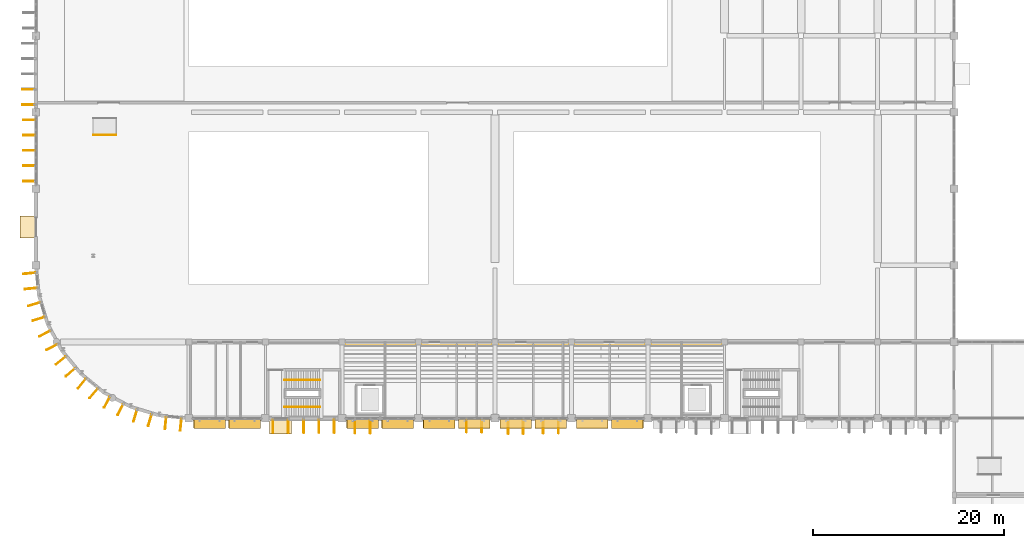
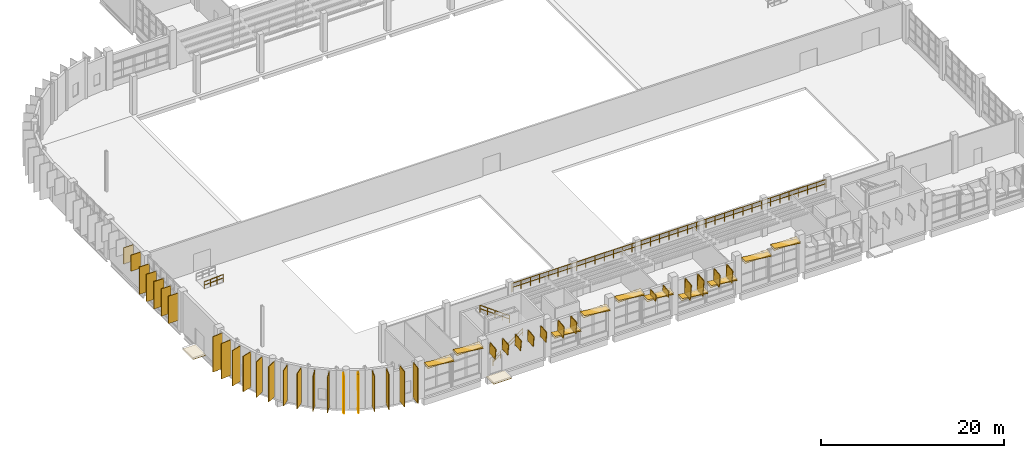
# One storey, part 94 of 103: 47 coverings, 46 shading devices, 4 railings.
"""IFC4 building model written with IfcOpenShell, lengths in metres."""

from ifc_helpers import new_model, si_unit, direction, frame, origin, origin_2d, place, context, subcontext, project, spatial, polyline, rectangle, circle, outline, extrude, material, layer, layer_set, type_object, element, save


model = new_model("IFC4")

# Units and contexts
model_context = context("Model", 3, precision=1e-05, world=origin(), true_north=direction((0.0, 1.0)))
body_context = subcontext(model_context, "Body", "Model", "MODEL_VIEW")
ifc_project = project(units=[si_unit("LENGTHUNIT", "METRE"), si_unit("AREAUNIT", "SQUARE_METRE"), si_unit("VOLUMEUNIT", "CUBIC_METRE"), si_unit("PLANEANGLEUNIT", "RADIAN"), si_unit("MASSUNIT", "GRAM", prefix="KILO")], contexts=[model_context])

# Site, building, storey
site_placement = place(None, origin())
site = spatial("IfcSite", under=ifc_project, at=site_placement, CompositionType="ELEMENT")
building_placement = place(site_placement, origin())
building = spatial("IfcBuilding", under=site, at=building_placement, Name="Drelvana Railside Aquatics Centre", CompositionType="ELEMENT")
storey_placement = place(building_placement, origin())
storey = spatial("IfcBuildingStorey", under=building, at=storey_placement, Name="L00", CompositionType="ELEMENT", Elevation=0.0)

# Coverings
ifc_material_1 = material(Name="Catalan trencadis polychrome ceramic mosaic cladding", Category="masonry")
ifc_layer_1 = layer(ifc_material_1, 0.044921875, Name="Catalan trencadis polychrome ceramic mosaic cladding")
ifc_layer_set_1 = layer_set([ifc_layer_1], Name="Catalan trencadis polychrome ceramic mosaic cladding")
covering_type_1 = type_object("IfcCoveringType", Name="COV-CLAD-TRENCADIS", PredefinedType="CLADDING", material=ifc_layer_set_1)
covering_1_placement = place(storey_placement, frame((0.0, 0.0, -0.2548828125)))
element("IfcCovering", 1, at=covering_1_placement, inside=storey, type_object=covering_type_1, Name="Threshold apron bedding trim 001", PredefinedType="CLADDING", context=body_context, shape_type="SweptSolid", body=[
    extrude(outline(polyline([(24.425048828125, 14.344970703125), (26.72509765625, 14.344970703125), (26.72509765625, 15.9951171875), (24.425048828125, 15.9951171875), (24.425048828125, 14.344970703125)])), origin(), (0.0, 0.0, 1.0), 0.044921875),
])
covering_2_placement = place(storey_placement, frame((0.0, 0.0, -0.2548828125)))
element("IfcCovering", 2, at=covering_2_placement, inside=storey, type_object=covering_type_1, Name="Threshold apron bedding trim 006", PredefinedType="CLADDING", context=body_context, shape_type="SweptSolid", body=[
    extrude(outline(polyline([(-1.655029296875, 34.85009765625), (-0.0048828125, 34.85009765625), (-0.0048828125, 37.14990234375), (-1.655029296875, 37.14990234375), (-1.655029296875, 34.85009765625)])), origin(), (0.0, 0.0, 1.0), 0.044921875),
])
ifc_material_2 = material(Name="Bronze-anodised extruded aluminium 6063-T6", Category="aluminium")
ifc_layer_2 = layer(ifc_material_2, 0.074951171875, Name="Bronze-anodised extruded aluminium 6063-T6")
ifc_layer_set_2 = layer_set([ifc_layer_2], Name="Bronze-anodised extruded aluminium 6063-T6")
covering_type_2 = type_object("IfcCoveringType", Name="COV-EYELID-ALU", PredefinedType="CLADDING", material=ifc_layer_set_2)
for number, where, z_axis, x_axis, name in (
    (3, (18.169921875, 15.46484375, 4.263916015625), (0.0, -0.13052619222, 0.991444861374), (-1.0, 0.0, 0.0), "Sine-wave eyelid brow hood V1S-1.1"),
    (4, (21.830078125, 15.46484375, 4.716796875), (0.0, -0.13052619222, 0.991444861374), (-1.0, 0.0, 0.0), "Sine-wave eyelid brow hood V1S-1.2"),
    (5, (34.169921875, 15.46484375, 2.678955078125), (0.0, -0.13052619222, 0.991444861374), (-1.0, 0.0, 0.0), "Sine-wave eyelid brow hood V1S-3.1"),
    (6, (37.830078125, 15.46484375, 4.14697265625), (0.0, -0.13052619222, 0.991444861374), (-1.0, 0.0, 0.0), "Sine-wave eyelid brow hood V1S-3.2"),
    (7, (42.169921875, 15.46484375, 4.6728515625), (0.0, -0.13052619222, 0.991444861374), (-1.0, 0.0, 0.0), "Sine-wave eyelid brow hood V1S-4.1"),
    (8, (45.830078125, 15.46484375, 3.48486328125), (0.0, -0.13052619222, 0.991444861374), (-1.0, 0.0, 0.0), "Sine-wave eyelid brow hood V1S-4.2"),
    (9, (50.169921875, 15.46484375, 2.10888671875), (0.0, -0.13052619222, 0.991444861374), (-1.0, 0.0, 0.0), "Sine-wave eyelid brow hood V1S-5.1"),
    (10, (53.830078125, 15.46484375, 2.56201171875), (0.0, -0.13052619222, 0.991444861374), (-1.0, 0.0, 0.0), "Sine-wave eyelid brow hood V1S-5.2"),
    (11, (58.169921875, 15.46484375, 4.263916015625), (0.0, -0.13052619222, 0.991444861374), (-1.0, 0.0, 0.0), "Sine-wave eyelid brow hood V1S-6.1"),
    (12, (61.830078125, 15.46484375, 4.716796875), (0.0, -0.13052619222, 0.991444861374), (-1.0, 0.0, 0.0), "Sine-wave eyelid brow hood V1S-6.2"),
):
    element("IfcCovering", number, at=place(storey_placement, frame(where, z_axis=z_axis, x_axis=x_axis)), inside=storey, type_object=covering_type_2, Name=name, PredefinedType="CLADDING", context=body_context, shape_type="SweptSolid", body=[
        extrude(rectangle(XDim=3.340087890625, YDim=0.949951171875, at=origin_2d()), origin(), (0.0, 0.0, 1.0), 0.074951171875),
    ])
covering_type_3 = type_object("IfcCoveringType", Name="COV-FIN-ALU", PredefinedType="CLADDING", material=ifc_material_2)
for number, where, z_axis, x_axis, name in (
    (13, (24.800048828125, 15.27001953125, 2.85595703125), (0.0, -0.13052619222, 0.991444861374), (-1.0, 0.0, 0.0), "Vertical aluminium fin cladding CF-0013"),
    (14, (26.39990234375, 15.27001953125, 2.85595703125), (0.0, -0.13052619222, 0.991444861374), (-1.0, 0.0, 0.0), "Vertical aluminium fin cladding CF-0014"),
    (15, (28.0, 15.27001953125, 2.85595703125), (0.0, -0.13052619222, 0.991444861374), (-1.0, 0.0, 0.0), "Vertical aluminium fin cladding CF-0015"),
    (16, (29.60009765625, 15.27001953125, 2.85595703125), (0.0, -0.13052619222, 0.991444861374), (-1.0, 0.0, 0.0), "Vertical aluminium fin cladding CF-0016"),
    (17, (31.199951171875, 15.27001953125, 2.85595703125), (0.0, -0.13052619222, 0.991444861374), (-1.0, 0.0, 0.0), "Vertical aluminium fin cladding CF-0017"),
):
    element("IfcCovering", number, at=place(storey_placement, frame(where, z_axis=z_axis, x_axis=x_axis)), inside=storey, type_object=covering_type_3, Name=name, PredefinedType="CLADDING", context=body_context, shape_type="SweptSolid", body=[
        extrude(rectangle(XDim=0.0849609375, YDim=1.25, at=origin_2d()), origin(), (0.0, 0.0, 1.0), 1.455078125),
    ])
for number, where, z_axis, x_axis, name in (
    (18, (33.3701171875, 15.2548828125, 2.673095703125), (0.0, -0.13052619222, 0.991444861374), (-1.0, 0.0, 0.0), "Vertical aluminium fin cladding CF-0028"),
    (19, (34.969970703125, 15.2548828125, 2.673095703125), (0.0, -0.13052619222, 0.991444861374), (-1.0, 0.0, 0.0), "Vertical aluminium fin cladding CF-0029"),
):
    element("IfcCovering", number, at=place(storey_placement, frame(where, z_axis=z_axis, x_axis=x_axis)), inside=storey, type_object=covering_type_3, Name=name, PredefinedType="CLADDING", context=body_context, shape_type="SweptSolid", body=[
        extrude(rectangle(XDim=0.0849609375, YDim=1.25, at=origin_2d()), origin(), (0.0, 0.0, 1.0), 1.638916015625),
    ])
for number, where, z_axis, x_axis, name in (
    (20, (45.030029296875, 15.255126953125, 3.4755859375), (0.0, -0.13052619222, 0.991444861374), (-1.0, 0.0, 0.0), "Vertical aluminium fin cladding CF-0043"),
    (21, (46.6298828125, 15.255126953125, 3.4755859375), (0.0, -0.13052619222, 0.991444861374), (-1.0, 0.0, 0.0), "Vertical aluminium fin cladding CF-0044"),
):
    element("IfcCovering", number, at=place(storey_placement, frame(where, z_axis=z_axis, x_axis=x_axis)), inside=storey, type_object=covering_type_3, Name=name, PredefinedType="CLADDING", context=body_context, shape_type="SweptSolid", body=[
        extrude(rectangle(XDim=0.0849609375, YDim=1.25, at=origin_2d()), origin(), (0.0, 0.0, 1.0), 0.8330078125),
    ])
for number, where, z_axis, x_axis, name in (
    (22, (49.3701171875, 15.255126953125, 2.10546875), (0.0, -0.13052619222, 0.991444861374), (-1.0, 0.0, 0.0), "Vertical aluminium fin cladding CF-0056"),
    (23, (50.969970703125, 15.255126953125, 2.10546875), (0.0, -0.13052619222, 0.991444861374), (-1.0, 0.0, 0.0), "Vertical aluminium fin cladding CF-0057"),
):
    element("IfcCovering", number, at=place(storey_placement, frame(where, z_axis=z_axis, x_axis=x_axis)), inside=storey, type_object=covering_type_3, Name=name, PredefinedType="CLADDING", context=body_context, shape_type="SweptSolid", body=[
        extrude(rectangle(XDim=0.0849609375, YDim=1.25, at=origin_2d()), origin(), (0.0, 0.0, 1.0), 2.208984375),
    ])
for number, where, z_axis, x_axis, name in (
    (24, (53.030029296875, 15.2548828125, 2.556396484375), (0.0, -0.13052619222, 0.991444861374), (-1.0, 0.0, 0.0), "Vertical aluminium fin cladding CF-0059"),
    (25, (54.6298828125, 15.2548828125, 2.556396484375), (0.0, -0.13052619222, 0.991444861374), (-1.0, 0.0, 0.0), "Vertical aluminium fin cladding CF-0060"),
):
    element("IfcCovering", number, at=place(storey_placement, frame(where, z_axis=z_axis, x_axis=x_axis)), inside=storey, type_object=covering_type_3, Name=name, PredefinedType="CLADDING", context=body_context, shape_type="SweptSolid", body=[
        extrude(rectangle(XDim=0.0849609375, YDim=1.25, at=origin_2d()), origin(), (0.0, 0.0, 1.0), 1.756103515625),
    ])
for number, where, z_axis, x_axis, name in (
    (26, (-0.669921875, 40.800048828125, 0.85009765625), (0.0, 0.0, 1.0), (0.0, 1.0, 0.0), "Vertical aluminium fin cladding CF-0205"),
    (27, (-0.669921875, 42.39990234375, 0.85009765625), (0.0, 0.0, 1.0), (0.0, 1.0, 0.0), "Vertical aluminium fin cladding CF-0206"),
    (28, (-0.669921875, 44.0, 0.85009765625), (0.0, 0.0, 1.0), (0.0, 1.0, 0.0), "Vertical aluminium fin cladding CF-0207"),
    (29, (-0.669921875, 45.60009765625, 0.85009765625), (0.0, 0.0, 1.0), (0.0, 1.0, 0.0), "Vertical aluminium fin cladding CF-0208"),
    (30, (-0.669921875, 47.199951171875, 0.85009765625), (0.0, 0.0, 1.0), (0.0, 1.0, 0.0), "Vertical aluminium fin cladding CF-0209"),
):
    element("IfcCovering", number, at=place(storey_placement, frame(where, z_axis=z_axis, x_axis=x_axis)), inside=storey, type_object=covering_type_3, Name=name, PredefinedType="CLADDING", context=body_context, shape_type="SweptSolid", body=[
        extrude(rectangle(XDim=0.0849609375, YDim=1.25, at=origin_2d()), origin(), (0.0, 0.0, 1.0), 3.64990234375),
    ])
covering_3_placement = place(storey_placement, frame((-0.77490234375, 48.800048828125, 3.0), z_axis=(0.0, 0.0, 1.0), x_axis=(0.0, 1.0, 0.0)))
element("IfcCovering", 31, at=covering_3_placement, inside=storey, type_object=covering_type_3, Name="Vertical aluminium fin cladding CF-0225", PredefinedType="CLADDING", context=body_context, shape_type="SweptSolid", body=[
    extrude(rectangle(XDim=0.0849609375, YDim=1.25, at=origin_2d()), origin(), (0.0, 0.0, 1.0), 2.14990234375),
])
for number, where, z_axis, x_axis, name in (
    (32, (-0.666015625, 31.162353515625, 0.25), (0.0, 0.0, 1.0), (-0.09801714033, 0.995184726672, 0.0), "Vertical aluminium fin cladding CF-0273"),
    (33, (-0.50927734375, 29.570068359375, 0.25), (0.0, 0.0, 1.0), (-0.09801714033, 0.995184726672, 0.0), "Vertical aluminium fin cladding CF-0274"),
    (34, (-0.1826171875, 27.927001953125, 0.25), (0.0, 0.0, 1.0), (-0.290284677254, 0.956940335732, 0.0), "Vertical aluminium fin cladding CF-0281"),
    (35, (0.281982421875, 26.39599609375, 0.25), (0.0, 0.0, 1.0), (-0.290284677254, 0.956940335732, 0.0), "Vertical aluminium fin cladding CF-0282"),
    (36, (0.923095703125, 24.848388671875, 0.25), (0.0, 0.0, 1.0), (-0.471396736826, 0.881921264348, 0.0), "Vertical aluminium fin cladding CF-0289"),
    (37, (1.67724609375, 23.437255859375, 0.25), (0.0, 0.0, 1.0), (-0.471396736826, 0.881921264348, 0.0), "Vertical aluminium fin cladding CF-0290"),
    (38, (2.60791015625, 22.04443359375, 0.25), (0.0, 0.0, 1.0), (-0.634393284164, 0.773010453363, 0.0), "Vertical aluminium fin cladding CF-0297"),
    (39, (3.623046875, 20.8076171875, 0.25), (0.0, 0.0, 1.0), (-0.634393284164, 0.773010453363, 0.0), "Vertical aluminium fin cladding CF-0298"),
    (40, (4.8076171875, 19.623046875, 0.25), (0.0, 0.0, 1.0), (-0.773010453363, 0.634393284164, 0.0), "Vertical aluminium fin cladding CF-0305"),
    (41, (6.04443359375, 18.60791015625, 0.25), (0.0, 0.0, 1.0), (-0.773010453363, 0.634393284164, 0.0), "Vertical aluminium fin cladding CF-0306"),
    (42, (7.437255859375, 17.67724609375, 0.25), (0.0, 0.0, 1.0), (-0.881921264348, 0.471396736826, 0.0), "Vertical aluminium fin cladding CF-0313"),
    (43, (8.848388671875, 16.923095703125, 0.25), (0.0, 0.0, 1.0), (-0.881921264348, 0.471396736826, 0.0), "Vertical aluminium fin cladding CF-0314"),
    (44, (10.39599609375, 16.281982421875, 0.25), (0.0, 0.0, 1.0), (-0.956940335732, 0.290284677254, 0.0), "Vertical aluminium fin cladding CF-0321"),
    (45, (11.927001953125, 15.8173828125, 0.25), (0.0, 0.0, 1.0), (-0.956940335732, 0.290284677254, 0.0), "Vertical aluminium fin cladding CF-0322"),
    (46, (13.570068359375, 15.49072265625, 0.25), (0.0, 0.0, 1.0), (-0.995184726672, 0.09801714033, 0.0), "Vertical aluminium fin cladding CF-0329"),
    (47, (15.162353515625, 15.333984375, 0.25), (0.0, 0.0, 1.0), (-0.995184726672, 0.09801714033, 0.0), "Vertical aluminium fin cladding CF-0330"),
):
    element("IfcCovering", number, at=place(storey_placement, frame(where, z_axis=z_axis, x_axis=x_axis)), inside=storey, type_object=covering_type_3, Name=name, PredefinedType="CLADDING", context=body_context, shape_type="SweptSolid", body=[
        extrude(rectangle(XDim=0.0849609375, YDim=1.25, at=origin_2d()), origin(), (0.0, 0.0, 1.0), 4.72998046875),
    ])

# Railings
ifc_material_3 = material(Name="Laminated glass and bronze-stainless gallery balustrade", Category="glass")
railing_type_1 = type_object("IfcRailingType", Name="RAL-GALLERY-1150", PredefinedType="BALUSTRADE", material=ifc_material_3)
railing_1_placement = place(storey_placement, frame((32.199951171875, 23.85009765625, 3.60009765625)))
element("IfcRailing", 48, at=railing_1_placement, inside=storey, type_object=railing_type_1, Name="Gallery balustrade 3 (L00)", PredefinedType="BALUSTRADE", context=body_context, shape_type="SweptSolid", body=[
    extrude(circle(Radius=0.02392578125, at=origin_2d()), frame((0.0, 0.0, 1.1259765625), z_axis=(1.0, 0.0, 0.0), x_axis=(0.0, 1.0, 0.0)), (0.0, 0.0, 1.0), 39.60009765625),
    extrude(circle(Radius=0.02392578125, at=origin_2d()), frame((0.0, 0.0, 0.574951171875), z_axis=(1.0, 0.0, 0.0), x_axis=(0.0, 1.0, 0.0)), (0.0, 0.0, 1.0), 39.60009765625),
    extrude(circle(Radius=0.02099609375, at=origin_2d()), origin(), (0.0, 0.0, 1.0), 1.101806640625),
    extrude(circle(Radius=0.02099609375, at=origin_2d()), frame((1.164794921875, 0.0, 0.0)), (0.0, 0.0, 1.0), 1.101806640625),
    extrude(circle(Radius=0.02099609375, at=origin_2d()), frame((2.329345703125, 0.0, 0.0)), (0.0, 0.0, 1.0), 1.101806640625),
    extrude(circle(Radius=0.02099609375, at=origin_2d()), frame((3.494140625, 0.0, 0.0)), (0.0, 0.0, 1.0), 1.101806640625),
    extrude(circle(Radius=0.02099609375, at=origin_2d()), frame((4.658935546875, 0.0, 0.0)), (0.0, 0.0, 1.0), 1.101806640625),
    extrude(circle(Radius=0.02099609375, at=origin_2d()), frame((5.823486328125, 0.0, 0.0)), (0.0, 0.0, 1.0), 1.101806640625),
    extrude(circle(Radius=0.02099609375, at=origin_2d()), frame((6.98828125, 0.0, 0.0)), (0.0, 0.0, 1.0), 1.101806640625),
    extrude(circle(Radius=0.02099609375, at=origin_2d()), frame((8.153076171875, 0.0, 0.0)), (0.0, 0.0, 1.0), 1.101806640625),
    extrude(circle(Radius=0.02099609375, at=origin_2d()), frame((9.317626953125, 0.0, 0.0)), (0.0, 0.0, 1.0), 1.101806640625),
    extrude(circle(Radius=0.02099609375, at=origin_2d()), frame((10.482421875, 0.0, 0.0)), (0.0, 0.0, 1.0), 1.101806640625),
    extrude(circle(Radius=0.02099609375, at=origin_2d()), frame((11.64697265625, 0.0, 0.0)), (0.0, 0.0, 1.0), 1.101806640625),
    extrude(circle(Radius=0.02099609375, at=origin_2d()), frame((12.811767578125, 0.0, 0.0)), (0.0, 0.0, 1.0), 1.101806640625),
    extrude(circle(Radius=0.02099609375, at=origin_2d()), frame((13.9765625, 0.0, 0.0)), (0.0, 0.0, 1.0), 1.101806640625),
    extrude(circle(Radius=0.02099609375, at=origin_2d()), frame((15.14111328125, 0.0, 0.0)), (0.0, 0.0, 1.0), 1.101806640625),
    extrude(circle(Radius=0.02099609375, at=origin_2d()), frame((16.305908203125, 0.0, 0.0)), (0.0, 0.0, 1.0), 1.101806640625),
    extrude(circle(Radius=0.02099609375, at=origin_2d()), frame((17.470703125, 0.0, 0.0)), (0.0, 0.0, 1.0), 1.101806640625),
    extrude(circle(Radius=0.02099609375, at=origin_2d()), frame((18.63525390625, 0.0, 0.0)), (0.0, 0.0, 1.0), 1.101806640625),
    extrude(circle(Radius=0.02099609375, at=origin_2d()), frame((19.800048828125, 0.0, 0.0)), (0.0, 0.0, 1.0), 1.101806640625),
    extrude(circle(Radius=0.02099609375, at=origin_2d()), frame((20.96484375, 0.0, 0.0)), (0.0, 0.0, 1.0), 1.101806640625),
    extrude(circle(Radius=0.02099609375, at=origin_2d()), frame((22.12939453125, 0.0, 0.0)), (0.0, 0.0, 1.0), 1.101806640625),
    extrude(circle(Radius=0.02099609375, at=origin_2d()), frame((23.294189453125, 0.0, 0.0)), (0.0, 0.0, 1.0), 1.101806640625),
    extrude(circle(Radius=0.02099609375, at=origin_2d()), frame((24.458984375, 0.0, 0.0)), (0.0, 0.0, 1.0), 1.101806640625),
    extrude(circle(Radius=0.02099609375, at=origin_2d()), frame((25.62353515625, 0.0, 0.0)), (0.0, 0.0, 1.0), 1.101806640625),
    extrude(circle(Radius=0.02099609375, at=origin_2d()), frame((26.788330078125, 0.0, 0.0)), (0.0, 0.0, 1.0), 1.101806640625),
    extrude(circle(Radius=0.02099609375, at=origin_2d()), frame((27.953125, 0.0, 0.0)), (0.0, 0.0, 1.0), 1.101806640625),
    extrude(circle(Radius=0.02099609375, at=origin_2d()), frame((29.11767578125, 0.0, 0.0)), (0.0, 0.0, 1.0), 1.101806640625),
    extrude(circle(Radius=0.02099609375, at=origin_2d()), frame((30.282470703125, 0.0, 0.0)), (0.0, 0.0, 1.0), 1.101806640625),
    extrude(circle(Radius=0.02099609375, at=origin_2d()), frame((31.447021484375, 0.0, 0.0)), (0.0, 0.0, 1.0), 1.101806640625),
    extrude(circle(Radius=0.02099609375, at=origin_2d()), frame((32.61181640625, 0.0, 0.0)), (0.0, 0.0, 1.0), 1.101806640625),
    extrude(circle(Radius=0.02099609375, at=origin_2d()), frame((33.776611328125, 0.0, 0.0)), (0.0, 0.0, 1.0), 1.101806640625),
    extrude(circle(Radius=0.02099609375, at=origin_2d()), frame((34.941162109375, 0.0, 0.0)), (0.0, 0.0, 1.0), 1.101806640625),
    extrude(circle(Radius=0.02099609375, at=origin_2d()), frame((36.10595703125, 0.0, 0.0)), (0.0, 0.0, 1.0), 1.101806640625),
    extrude(circle(Radius=0.02099609375, at=origin_2d()), frame((37.270751953125, 0.0, 0.0)), (0.0, 0.0, 1.0), 1.101806640625),
    extrude(circle(Radius=0.02099609375, at=origin_2d()), frame((38.435302734375, 0.0, 0.0)), (0.0, 0.0, 1.0), 1.101806640625),
    extrude(circle(Radius=0.02099609375, at=origin_2d()), frame((39.60009765625, 0.0, 0.0)), (0.0, 0.0, 1.0), 1.101806640625),
])
ifc_material_4 = material(Name="Brushed stainless steel stair pitch handrail", Category="steel")
railing_type_2 = type_object("IfcRailingType", Name="RAL-HANDRAIL-950", PredefinedType="HANDRAIL", material=ifc_material_4)
railing_2_placement = place(storey_placement, frame((25.969970703125, 17.175048828125, 0.0)))
element("IfcRailing", 49, at=railing_2_placement, inside=storey, type_object=railing_type_2, Name="Stair ST-01 flight 1 handrail (L00)", PredefinedType="HANDRAIL", context=body_context, shape_type="SweptSolid", body=[
    extrude(circle(Radius=0.02392578125, at=origin_2d()), frame((0.0, 0.0, 0.92578125), z_axis=(0.811539352079, 0.0, 0.584297766578), x_axis=(0.0, 1.0, 0.0)), (0.0, 0.0, 1.0), 4.620849609375),
    extrude(circle(Radius=0.02392578125, at=origin_2d()), frame((0.0, 0.0, 0.47509765625), z_axis=(0.811539352079, 0.0, 0.584297766578), x_axis=(0.0, 1.0, 0.0)), (0.0, 0.0, 1.0), 4.620849609375),
    extrude(circle(Radius=0.02099609375, at=origin_2d()), origin(), (0.0, 0.0, 1.0), 0.90185546875),
    extrude(circle(Radius=0.02099609375, at=origin_2d()), frame((0.9375, 0.0, 0.675048828125)), (0.0, 0.0, 1.0), 0.90185546875),
    extrude(circle(Radius=0.02099609375, at=origin_2d()), frame((1.875, 0.0, 1.35009765625)), (0.0, 0.0, 1.0), 0.90185546875),
    extrude(circle(Radius=0.02099609375, at=origin_2d()), frame((2.8125, 0.0, 2.02490234375)), (0.0, 0.0, 1.0), 0.90185546875),
    extrude(circle(Radius=0.02099609375, at=origin_2d()), frame((3.75, 0.0, 2.699951171875)), (0.0, 0.0, 1.0), 0.90185546875),
])
railing_3_placement = place(storey_placement, frame((29.719970703125, 20.02490234375, 2.699951171875)))
element("IfcRailing", 50, at=railing_3_placement, inside=storey, type_object=railing_type_2, Name="Stair ST-01 flight 2 handrail (L00)", PredefinedType="HANDRAIL", context=body_context, shape_type="SweptSolid", body=[
    extrude(circle(Radius=0.02392578125, at=origin_2d()), frame((0.0, 0.0, 0.92578125), z_axis=(-0.811539352079, 0.0, 0.584297766578), x_axis=(0.0, -1.0, 0.0)), (0.0, 0.0, 1.0), 4.620849609375),
    extrude(circle(Radius=0.02392578125, at=origin_2d()), frame((0.0, 0.0, 0.47509765625), z_axis=(-0.811539352079, 0.0, 0.584297766578), x_axis=(0.0, -1.0, 0.0)), (0.0, 0.0, 1.0), 4.620849609375),
    extrude(circle(Radius=0.02099609375, at=origin_2d()), origin(), (0.0, 0.0, 1.0), 0.90185546875),
    extrude(circle(Radius=0.02099609375, at=origin_2d()), frame((-0.9375, 0.0, 0.675048828125)), (0.0, 0.0, 1.0), 0.90185546875),
    extrude(circle(Radius=0.02099609375, at=origin_2d()), frame((-1.875, 0.0, 1.35009765625)), (0.0, 0.0, 1.0), 0.90185546875),
    extrude(circle(Radius=0.02099609375, at=origin_2d()), frame((-2.8125, 0.0, 2.02490234375)), (0.0, 0.0, 1.0), 0.90185546875),
    extrude(circle(Radius=0.02099609375, at=origin_2d()), frame((-3.75, 0.0, 2.699951171875)), (0.0, 0.0, 1.0), 0.90185546875),
])
railing_4_placement = place(storey_placement, frame((6.0, 45.6201171875, 0.0)))
element("IfcRailing", 51, at=railing_4_placement, inside=storey, type_object=railing_type_2, Name="Accessible ramp handrail RMP-WC-POOL-W", PredefinedType="HANDRAIL", context=body_context, shape_type="SweptSolid", body=[
    extrude(circle(Radius=0.02392578125, at=origin_2d()), frame((0.0, 0.0, 0.92578125), z_axis=(0.998749803871, 0.0, 0.049988291303), x_axis=(0.0, 1.0, 0.0)), (0.0, 0.0, 1.0), 2.40283203125),
    extrude(circle(Radius=0.02392578125, at=origin_2d()), frame((0.0, 0.0, 0.47509765625), z_axis=(0.998749803871, 0.0, 0.049988291303), x_axis=(0.0, 1.0, 0.0)), (0.0, 0.0, 1.0), 2.40283203125),
    extrude(circle(Radius=0.02099609375, at=origin_2d()), origin(), (0.0, 0.0, 1.0), 0.90185546875),
    extrude(circle(Radius=0.02099609375, at=origin_2d()), frame((0.800048828125, 0.0, 0.0400390625)), (0.0, 0.0, 1.0), 0.90185546875),
    extrude(circle(Radius=0.02099609375, at=origin_2d()), frame((1.599853515625, 0.0, 0.080078125)), (0.0, 0.0, 1.0), 0.90185546875),
    extrude(circle(Radius=0.02099609375, at=origin_2d()), frame((2.39990234375, 0.0, 0.1201171875)), (0.0, 0.0, 1.0), 0.90185546875),
])

# Shading devices
ifc_layer_3 = layer(ifc_material_2, 0.06494140625, Name="Bronze-anodised extruded aluminium 6063-T6")
ifc_layer_set_3 = layer_set([ifc_layer_3], Name="Bronze-anodised extruded aluminium 6063-T6")
shading_device_type_1 = type_object("IfcShadingDeviceType", Name="SHD-EYELID-950", PredefinedType="JALOUSIE", material=ifc_layer_set_3)
for number, where, z_axis, x_axis, name in (
    (52, (18.165771484375, 15.4150390625, 4.268798828125), (0.13052619222, 0.0, 0.991444861374), (0.0, -1.0, 0.0), "Sine-wave tilted eyelid louvre V1S-1.1"),
    (53, (21.825927734375, 15.4150390625, 4.7216796875), (0.13052619222, 0.0, 0.991444861374), (0.0, -1.0, 0.0), "Sine-wave tilted eyelid louvre V1S-1.2"),
    (54, (34.165771484375, 15.4150390625, 2.683837890625), (0.13052619222, 0.0, 0.991444861374), (0.0, -1.0, 0.0), "Sine-wave tilted eyelid louvre V1S-3.1"),
    (55, (37.825927734375, 15.4150390625, 4.15185546875), (0.13052619222, 0.0, 0.991444861374), (0.0, -1.0, 0.0), "Sine-wave tilted eyelid louvre V1S-3.2"),
    (56, (42.165771484375, 15.4150390625, 4.677734375), (0.13052619222, 0.0, 0.991444861374), (0.0, -1.0, 0.0), "Sine-wave tilted eyelid louvre V1S-4.1"),
    (57, (45.825927734375, 15.4150390625, 3.48974609375), (0.13052619222, 0.0, 0.991444861374), (0.0, -1.0, 0.0), "Sine-wave tilted eyelid louvre V1S-4.2"),
    (58, (50.165771484375, 15.4150390625, 2.11376953125), (0.13052619222, 0.0, 0.991444861374), (0.0, -1.0, 0.0), "Sine-wave tilted eyelid louvre V1S-5.1"),
    (59, (53.825927734375, 15.4150390625, 2.56689453125), (0.13052619222, 0.0, 0.991444861374), (0.0, -1.0, 0.0), "Sine-wave tilted eyelid louvre V1S-5.2"),
    (60, (58.165771484375, 15.4150390625, 4.268798828125), (0.13052619222, 0.0, 0.991444861374), (0.0, -1.0, 0.0), "Sine-wave tilted eyelid louvre V1S-6.1"),
    (61, (61.825927734375, 15.4150390625, 4.7216796875), (0.13052619222, 0.0, 0.991444861374), (0.0, -1.0, 0.0), "Sine-wave tilted eyelid louvre V1S-6.2"),
):
    element("IfcShadingDevice", number, at=place(storey_placement, frame(where, z_axis=z_axis, x_axis=x_axis)), inside=storey, type_object=shading_device_type_1, Name=name, PredefinedType="JALOUSIE", context=body_context, shape_type="SweptSolid", body=[
        extrude(rectangle(XDim=0.949951171875, YDim=3.300048828125, at=origin_2d()), origin(), (0.0, 0.0, 1.0), 0.06494140625),
    ])
shading_device_type_2 = type_object("IfcShadingDeviceType", Name="SHD-FIN-1250", PredefinedType="USERDEFINED", material=ifc_material_2)
for number, where, z_axis, x_axis, name in (
    (62, (24.800048828125, 15.25, 2.849853515625), (0.0, 0.0, 1.0), (0.0, -1.0, 0.0), "Vertical bronze shading fin FN-0013"),
    (63, (26.39990234375, 15.25, 2.849853515625), (0.0, 0.0, 1.0), (0.0, -1.0, 0.0), "Vertical bronze shading fin FN-0014"),
    (64, (28.0, 15.25, 2.849853515625), (0.0, 0.0, 1.0), (0.0, -1.0, 0.0), "Vertical bronze shading fin FN-0015"),
    (65, (29.60009765625, 15.25, 2.849853515625), (0.0, 0.0, 1.0), (0.0, -1.0, 0.0), "Vertical bronze shading fin FN-0016"),
    (66, (31.199951171875, 15.25, 2.849853515625), (0.0, 0.0, 1.0), (0.0, -1.0, 0.0), "Vertical bronze shading fin FN-0017"),
):
    element("IfcShadingDevice", number, at=place(storey_placement, frame(where, z_axis=z_axis, x_axis=x_axis)), inside=storey, type_object=shading_device_type_2, Name=name, ObjectType="FIN", PredefinedType="USERDEFINED", context=body_context, shape_type="SweptSolid", body=[
        extrude(rectangle(XDim=1.25, YDim=0.06494140625, at=origin_2d()), origin(), (0.0, 0.0, 1.0), 1.455078125),
    ])
for number, where, z_axis, x_axis, name in (
    (67, (33.3701171875, 15.235107421875, 2.666015625), (0.0, 0.0, 1.0), (0.0, -1.0, 0.0), "Vertical bronze shading fin FN-0028"),
    (68, (34.969970703125, 15.235107421875, 2.666015625), (0.0, 0.0, 1.0), (0.0, -1.0, 0.0), "Vertical bronze shading fin FN-0029"),
):
    element("IfcShadingDevice", number, at=place(storey_placement, frame(where, z_axis=z_axis, x_axis=x_axis)), inside=storey, type_object=shading_device_type_2, Name=name, ObjectType="FIN", PredefinedType="USERDEFINED", context=body_context, shape_type="SweptSolid", body=[
        extrude(rectangle(XDim=1.25, YDim=0.06494140625, at=origin_2d()), origin(), (0.0, 0.0, 1.0), 1.638916015625),
    ])
for number, where, z_axis, x_axis, name in (
    (69, (45.030029296875, 15.235107421875, 3.471923828125), (0.0, 0.0, 1.0), (0.0, -1.0, 0.0), "Vertical bronze shading fin FN-0043"),
    (70, (46.6298828125, 15.235107421875, 3.471923828125), (0.0, 0.0, 1.0), (0.0, -1.0, 0.0), "Vertical bronze shading fin FN-0044"),
):
    element("IfcShadingDevice", number, at=place(storey_placement, frame(where, z_axis=z_axis, x_axis=x_axis)), inside=storey, type_object=shading_device_type_2, Name=name, ObjectType="FIN", PredefinedType="USERDEFINED", context=body_context, shape_type="SweptSolid", body=[
        extrude(rectangle(XDim=1.25, YDim=0.06494140625, at=origin_2d()), origin(), (0.0, 0.0, 1.0), 0.8330078125),
    ])
for number, where, z_axis, x_axis, name in (
    (71, (49.3701171875, 15.235107421875, 2.095947265625), (0.0, 0.0, 1.0), (0.0, -1.0, 0.0), "Vertical bronze shading fin FN-0056"),
    (72, (50.969970703125, 15.235107421875, 2.095947265625), (0.0, 0.0, 1.0), (0.0, -1.0, 0.0), "Vertical bronze shading fin FN-0057"),
):
    element("IfcShadingDevice", number, at=place(storey_placement, frame(where, z_axis=z_axis, x_axis=x_axis)), inside=storey, type_object=shading_device_type_2, Name=name, ObjectType="FIN", PredefinedType="USERDEFINED", context=body_context, shape_type="SweptSolid", body=[
        extrude(rectangle(XDim=1.25, YDim=0.06494140625, at=origin_2d()), origin(), (0.0, 0.0, 1.0), 2.208984375),
    ])
for number, where, z_axis, x_axis, name in (
    (73, (53.030029296875, 15.235107421875, 2.548828125), (0.0, 0.0, 1.0), (0.0, -1.0, 0.0), "Vertical bronze shading fin FN-0059"),
    (74, (54.6298828125, 15.235107421875, 2.548828125), (0.0, 0.0, 1.0), (0.0, -1.0, 0.0), "Vertical bronze shading fin FN-0060"),
):
    element("IfcShadingDevice", number, at=place(storey_placement, frame(where, z_axis=z_axis, x_axis=x_axis)), inside=storey, type_object=shading_device_type_2, Name=name, ObjectType="FIN", PredefinedType="USERDEFINED", context=body_context, shape_type="SweptSolid", body=[
        extrude(rectangle(XDim=1.25, YDim=0.06494140625, at=origin_2d()), origin(), (0.0, 0.0, 1.0), 1.756103515625),
    ])
for number, where, z_axis, x_axis, name in (
    (75, (-0.68994140625, 40.800048828125, 0.85009765625), (0.0, 0.0, 1.0), (-1.0, 0.0, 0.0), "Vertical bronze shading fin FN-0212"),
    (76, (-0.68994140625, 42.39990234375, 0.85009765625), (0.0, 0.0, 1.0), (-1.0, 0.0, 0.0), "Vertical bronze shading fin FN-0213"),
    (77, (-0.68994140625, 44.0, 0.85009765625), (0.0, 0.0, 1.0), (-1.0, 0.0, 0.0), "Vertical bronze shading fin FN-0214"),
    (78, (-0.68994140625, 45.60009765625, 0.85009765625), (0.0, 0.0, 1.0), (-1.0, 0.0, 0.0), "Vertical bronze shading fin FN-0215"),
    (79, (-0.68994140625, 47.199951171875, 0.85009765625), (0.0, 0.0, 1.0), (-1.0, 0.0, 0.0), "Vertical bronze shading fin FN-0216"),
):
    element("IfcShadingDevice", number, at=place(storey_placement, frame(where, z_axis=z_axis, x_axis=x_axis)), inside=storey, type_object=shading_device_type_2, Name=name, ObjectType="FIN", PredefinedType="USERDEFINED", context=body_context, shape_type="SweptSolid", body=[
        extrude(rectangle(XDim=1.25, YDim=0.06494140625, at=origin_2d()), origin(), (0.0, 0.0, 1.0), 3.64990234375),
    ])
for number, where, z_axis, x_axis, name in (
    (80, (-0.794921875, 48.800048828125, 3.0), (0.0, 0.0, 1.0), (-1.0, 0.0, 0.0), "Vertical bronze shading fin FN-0232"),
    (81, (-0.794921875, 50.39990234375, 3.0), (0.0, 0.0, 1.0), (-1.0, 0.0, 0.0), "Vertical bronze shading fin FN-0233"),
):
    element("IfcShadingDevice", number, at=place(storey_placement, frame(where, z_axis=z_axis, x_axis=x_axis)), inside=storey, type_object=shading_device_type_2, Name=name, ObjectType="FIN", PredefinedType="USERDEFINED", context=body_context, shape_type="SweptSolid", body=[
        extrude(rectangle(XDim=1.25, YDim=0.06494140625, at=origin_2d()), origin(), (0.0, 0.0, 1.0), 2.14990234375),
    ])
for number, where, z_axis, x_axis, name in (
    (82, (-0.68603515625, 31.160400390625, 0.25), (0.0, 0.0, 1.0), (-0.995184726672, -0.09801714033, 0.0), "Vertical bronze shading fin FN-0280"),
    (83, (-0.529296875, 29.568115234375, 0.25), (0.0, 0.0, 1.0), (-0.995184726672, -0.09801714033, 0.0), "Vertical bronze shading fin FN-0281"),
    (84, (-0.20166015625, 27.92138671875, 0.25), (0.0, 0.0, 1.0), (-0.956940335732, -0.290284677254, 0.0), "Vertical bronze shading fin FN-0288"),
    (85, (0.2626953125, 26.39013671875, 0.25), (0.0, 0.0, 1.0), (-0.956940335732, -0.290284677254, 0.0), "Vertical bronze shading fin FN-0289"),
    (86, (0.905517578125, 24.8388671875, 0.25), (0.0, 0.0, 1.0), (-0.881921264348, -0.471396736826, 0.0), "Vertical bronze shading fin FN-0296"),
    (87, (1.65966796875, 23.427734375, 0.25), (0.0, 0.0, 1.0), (-0.881921264348, -0.471396736826, 0.0), "Vertical bronze shading fin FN-0297"),
    (88, (2.592529296875, 22.03173828125, 0.25), (0.0, 0.0, 1.0), (-0.773010453363, -0.634393284164, 0.0), "Vertical bronze shading fin FN-0304"),
    (89, (3.607666015625, 20.794921875, 0.25), (0.0, 0.0, 1.0), (-0.773010453363, -0.634393284164, 0.0), "Vertical bronze shading fin FN-0305"),
    (90, (4.794921875, 19.607666015625, 0.25), (0.0, 0.0, 1.0), (-0.634393284164, -0.773010453363, 0.0), "Vertical bronze shading fin FN-0312"),
    (91, (6.03173828125, 18.592529296875, 0.25), (0.0, 0.0, 1.0), (-0.634393284164, -0.773010453363, 0.0), "Vertical bronze shading fin FN-0313"),
    (92, (7.427734375, 17.65966796875, 0.25), (0.0, 0.0, 1.0), (-0.471396736826, -0.881921264348, 0.0), "Vertical bronze shading fin FN-0320"),
    (93, (8.8388671875, 16.905517578125, 0.25), (0.0, 0.0, 1.0), (-0.471396736826, -0.881921264348, 0.0), "Vertical bronze shading fin FN-0321"),
    (94, (10.39013671875, 16.2626953125, 0.25), (0.0, 0.0, 1.0), (-0.290284677254, -0.956940335732, 0.0), "Vertical bronze shading fin FN-0328"),
    (95, (11.92138671875, 15.79833984375, 0.25), (0.0, 0.0, 1.0), (-0.290284677254, -0.956940335732, 0.0), "Vertical bronze shading fin FN-0329"),
    (96, (13.568115234375, 15.470703125, 0.25), (0.0, 0.0, 1.0), (-0.09801714033, -0.995184726672, 0.0), "Vertical bronze shading fin FN-0336"),
    (97, (15.160400390625, 15.31396484375, 0.25), (0.0, 0.0, 1.0), (-0.09801714033, -0.995184726672, 0.0), "Vertical bronze shading fin FN-0337"),
):
    element("IfcShadingDevice", number, at=place(storey_placement, frame(where, z_axis=z_axis, x_axis=x_axis)), inside=storey, type_object=shading_device_type_2, Name=name, ObjectType="FIN", PredefinedType="USERDEFINED", context=body_context, shape_type="SweptSolid", body=[
        extrude(rectangle(XDim=1.25, YDim=0.06494140625, at=origin_2d()), origin(), (0.0, 0.0, 1.0), 4.72998046875),
    ])

save(model, "model.ifc")
